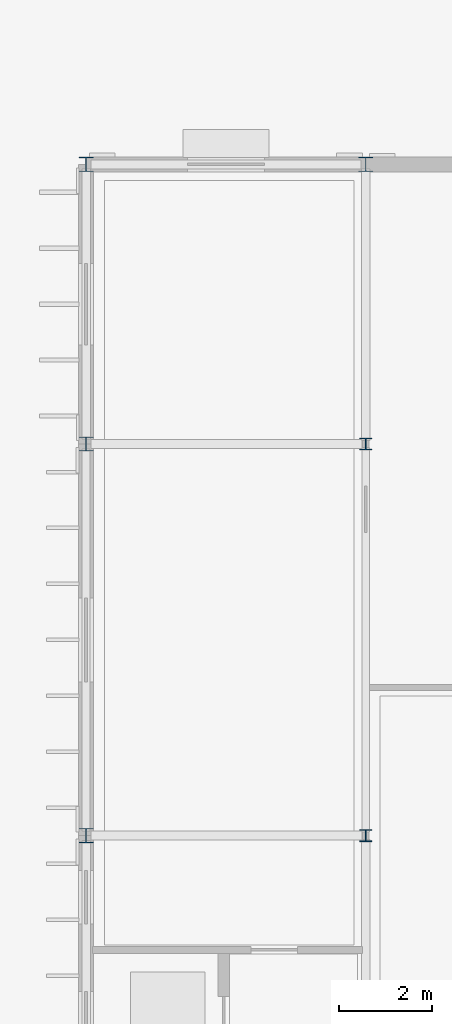
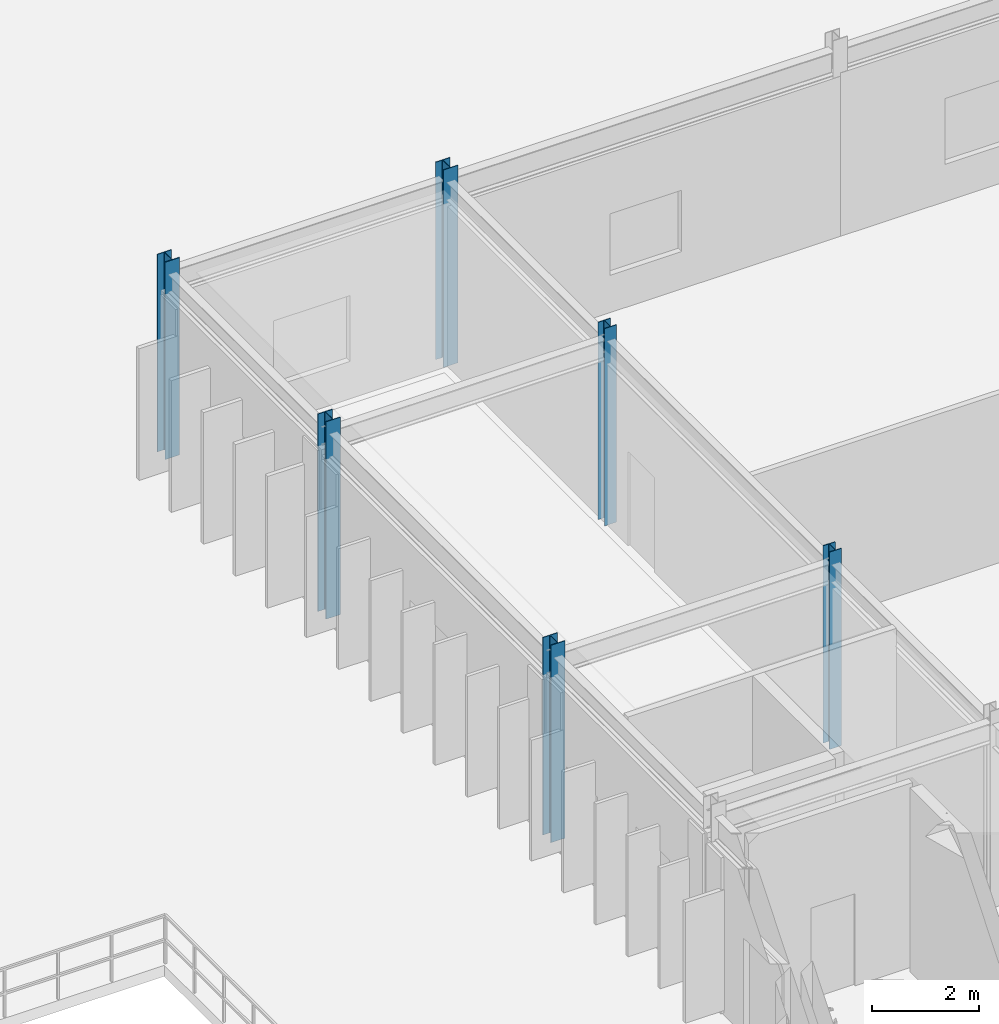
# One storey, part 6 of 67: 6 columns.
"""IFC4 building model written with IfcOpenShell, lengths in metres."""

from ifc_helpers import new_model, si_unit, direction, frame, origin, origin_2d, place, context, subcontext, project, spatial, i_section, extrude, material, material_profile, profile_set, type_object, element, save


model = new_model("IFC4")

# Units and contexts
model_context = context("Model", 3, precision=1e-05, world=origin(), true_north=direction((0.0, 1.0)))
body_context = subcontext(model_context, "Body", "Model", "MODEL_VIEW")
ifc_project = project(units=[si_unit("LENGTHUNIT", "METRE"), si_unit("AREAUNIT", "SQUARE_METRE"), si_unit("VOLUMEUNIT", "CUBIC_METRE"), si_unit("PLANEANGLEUNIT", "RADIAN"), si_unit("MASSUNIT", "GRAM", prefix="KILO"), si_unit("THERMODYNAMICTEMPERATUREUNIT", "KELVIN")], contexts=[model_context])

# Site, building, storey
site_placement = place(None, origin())
site = spatial("IfcSite", under=ifc_project, at=site_placement, CompositionType="ELEMENT")
building_placement = place(site_placement, origin())
building = spatial("IfcBuilding", under=site, at=building_placement, Name="Thalorik Housing Commons", CompositionType="ELEMENT")
storey_placement = place(building_placement, origin())
storey = spatial("IfcBuildingStorey", under=building, at=storey_placement, Name="L00", CompositionType="ELEMENT", Elevation=0.0)

# Columns
ifc_material = material(Name="Steel S355", Category="steel")
ifc_material_profile_1 = material_profile(ifc_material, i_section(OverallWidth=0.260009765625, OverallDepth=0.25390625, WebThickness=0.014404296875, FlangeThickness=0.014404296875, FilletRadius=0.010009765625, at=origin_2d()), Name="HP250x85", Category="steel")
ifc_profile_set_1 = profile_set([ifc_material_profile_1], Name="Steel S355")
column_type_1 = type_object("IfcColumnType", Name="STR-COL-HP250", PredefinedType="COLUMN", material=ifc_profile_set_1)
for number, where, z_axis, x_axis, name in (
    (1, (72.0, 72.0, 0.0), (0.0, 0.0, 1.0), (1.0, 0.0, 0.0), "L00 Column SC-250"),
    (2, (72.0, 80.39990234375, 0.0), (0.0, 0.0, 1.0), (1.0, 0.0, 0.0), "L00 Column SC-250"),
):
    element("IfcColumn", number, at=place(storey_placement, frame(where, z_axis=z_axis, x_axis=x_axis)), inside=storey, type_object=column_type_1, Name=name, PredefinedType="COLUMN", context=body_context, shape_type="SweptSolid", body=[
        extrude(i_section(OverallWidth=0.260009765625, OverallDepth=0.25390625, WebThickness=0.014404296875, FlangeThickness=0.014404296875, FilletRadius=0.010009765625, at=origin_2d()), origin(), (0.0, 0.0, 1.0), 4.5),
    ])
ifc_material_profile_2 = material_profile(ifc_material, i_section(OverallWidth=0.31005859375, OverallDepth=0.30810546875, WebThickness=0.015380859375, FlangeThickness=0.015380859375, FilletRadius=0.011962890625, at=origin_2d()), Name="HP310x110", Category="steel")
ifc_profile_set_2 = profile_set([ifc_material_profile_2], Name="Steel S355")
column_type_2 = type_object("IfcColumnType", Name="STR-COL-HP310", PredefinedType="COLUMN", material=ifc_profile_set_2)
for number, where, z_axis, x_axis, name in (
    (3, (66.0, 72.0, 0.0), (0.0, 0.0, 1.0), (1.0, 0.0, 0.0), "L00 Column SC-310"),
    (4, (66.0, 80.39990234375, 0.0), (0.0, 0.0, 1.0), (1.0, 0.0, 0.0), "L00 Column SC-310"),
    (5, (66.0, 86.39990234375, 0.0), (0.0, 0.0, 1.0), (1.0, 0.0, 0.0), "L00 Column SC-310"),
    (6, (72.0, 86.39990234375, 0.0), (0.0, 0.0, 1.0), (1.0, 0.0, 0.0), "L00 Column SC-310"),
):
    element("IfcColumn", number, at=place(storey_placement, frame(where, z_axis=z_axis, x_axis=x_axis)), inside=storey, type_object=column_type_2, Name=name, PredefinedType="COLUMN", context=body_context, shape_type="SweptSolid", body=[
        extrude(i_section(OverallWidth=0.31005859375, OverallDepth=0.30810546875, WebThickness=0.015380859375, FlangeThickness=0.015380859375, FilletRadius=0.011962890625, at=origin_2d()), origin(), (0.0, 0.0, 1.0), 4.5),
    ])

save(model, "model.ifc")
